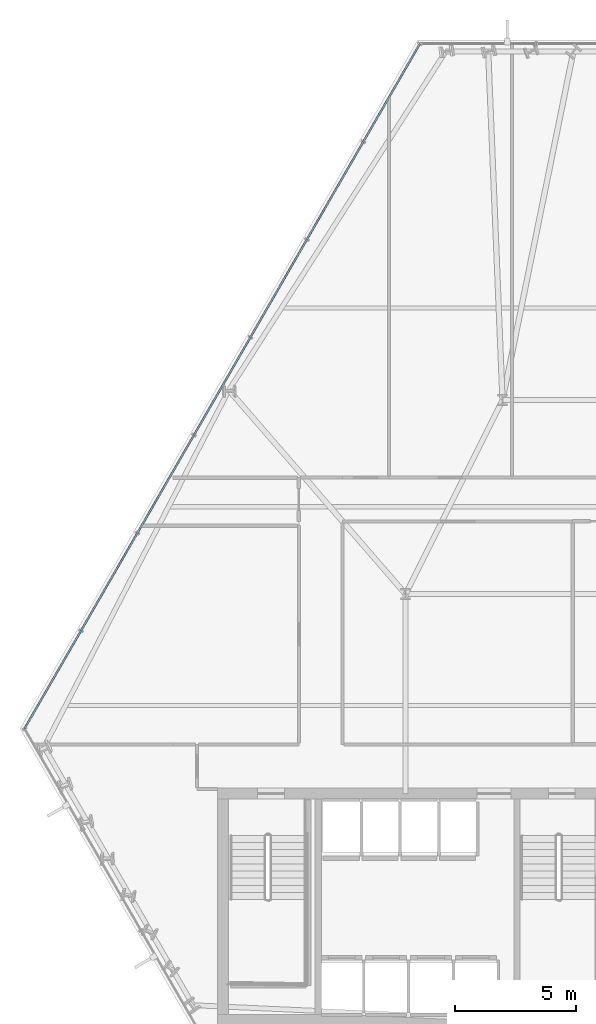
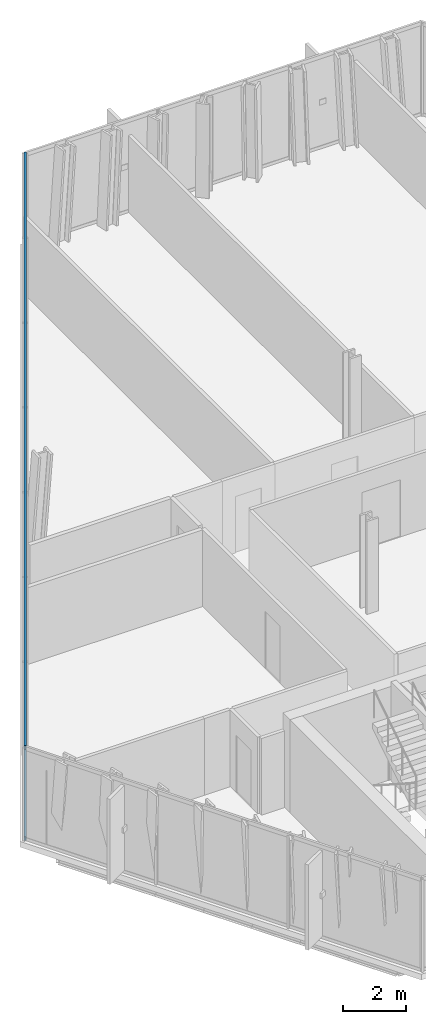
# One storey, part 13 of 33: 2 members, 1 element without a shape of its own.
"""IFC4 building model written with IfcOpenShell, lengths in metres."""

from ifc_helpers import new_model, si_unit, direction, frame, origin, origin_2d, place, context, subcontext, project, spatial, hollow_rectangle, extrude, material, layer, layer_set, material_profile, profile_set, type_object, element, aggregate, save


model = new_model("IFC4")

# Units and contexts
model_context = context("Model", 3, precision=1e-05, world=origin(), true_north=direction((0.0, 1.0)))
body_context = subcontext(model_context, "Body", "Model", "MODEL_VIEW")
ifc_project = project(units=[si_unit("LENGTHUNIT", "METRE"), si_unit("AREAUNIT", "SQUARE_METRE"), si_unit("VOLUMEUNIT", "CUBIC_METRE"), si_unit("PLANEANGLEUNIT", "RADIAN"), si_unit("MASSUNIT", "GRAM", prefix="KILO")], contexts=[model_context])

# Site, building, storey
site_placement = place(None, origin())
site = spatial("IfcSite", under=ifc_project, at=site_placement, CompositionType="ELEMENT")
building_placement = place(site_placement, origin())
building = spatial("IfcBuilding", under=site, at=building_placement, Name="Ndaravel Arena Tower", CompositionType="ELEMENT")
storey_placement = place(building_placement, frame((0.0, 0.0, 89.199951171875)))
storey = spatial("IfcBuildingStorey", under=building, at=storey_placement, Name="L20", CompositionType="ELEMENT", Elevation=89.199951171875)

# Curtain wall, members
ifc_material_1 = material(Name="Aluminium", Category="aluminium")
ifc_layer = layer(ifc_material_1, 0.179931640625)
ifc_layer_set = layer_set([ifc_layer], Name="Aluminium")
curtain_wall_type = type_object("IfcCurtainWallType", Name="CW-SYS-03", PredefinedType="NOTDEFINED", material=ifc_layer_set)
curtain_wall_placement = place(storey_placement, origin())
curtain_wall = element("IfcCurtainWall", 1, at=curtain_wall_placement, inside=storey, type_object=curtain_wall_type, Name="L20 Faceted Crystal Curtain Wall CW-L20-E05", PredefinedType="NOTDEFINED")
ifc_material_2 = material(Name="Aluminium", Category="aluminium")
ifc_material_profile = material_profile(ifc_material_2, hollow_rectangle(XDim=0.074951171875, YDim=0.14990234375, WallThickness=0.00390625, at=origin_2d()), Name="CW TRANSOM 75x150x4")
ifc_profile_set = profile_set([ifc_material_profile], Name="Aluminium")
member_type = type_object("IfcMemberType", Name="MEM-CW-TRN150", PredefinedType="USERDEFINED", material=ifc_profile_set)
member_1_placement = place(storey_placement, frame((34.7900390625, 45.89599609375, 0.0400390625), z_axis=(-0.499995870901, -0.866027787708, 0.0), x_axis=(0.866027787708, -0.499995870901, 0.0)))
member_1 = element("IfcMember", 2, at=member_1_placement, type_object=member_type, Name="CW-L20-E05 Transom 01", ObjectType="TRANSOM", PredefinedType="USERDEFINED", context=body_context, shape_type="SweptSolid", body=[
    extrude(hollow_rectangle(XDim=0.074951171875, YDim=0.14990234375, WallThickness=0.00390625, at=origin_2d()), origin(), (0.0, 0.0, 1.0), 32.617919921875),
])
member_2_placement = place(storey_placement, frame((34.7900390625, 45.89599609375, 3.5400390625), z_axis=(-0.499995870901, -0.866027787708, 0.0), x_axis=(0.866027787708, -0.499995870901, 0.0)))
member_2 = element("IfcMember", 3, at=member_2_placement, type_object=member_type, Name="CW-L20-E05 Transom 02", ObjectType="TRANSOM", PredefinedType="USERDEFINED", context=body_context, shape_type="SweptSolid", body=[
    extrude(hollow_rectangle(XDim=0.074951171875, YDim=0.14990234375, WallThickness=0.00390625, at=origin_2d()), origin(), (0.0, 0.0, 1.0), 32.617919921875),
])
aggregate(curtain_wall, [member_1, member_2])

save(model, "model.ifc")
